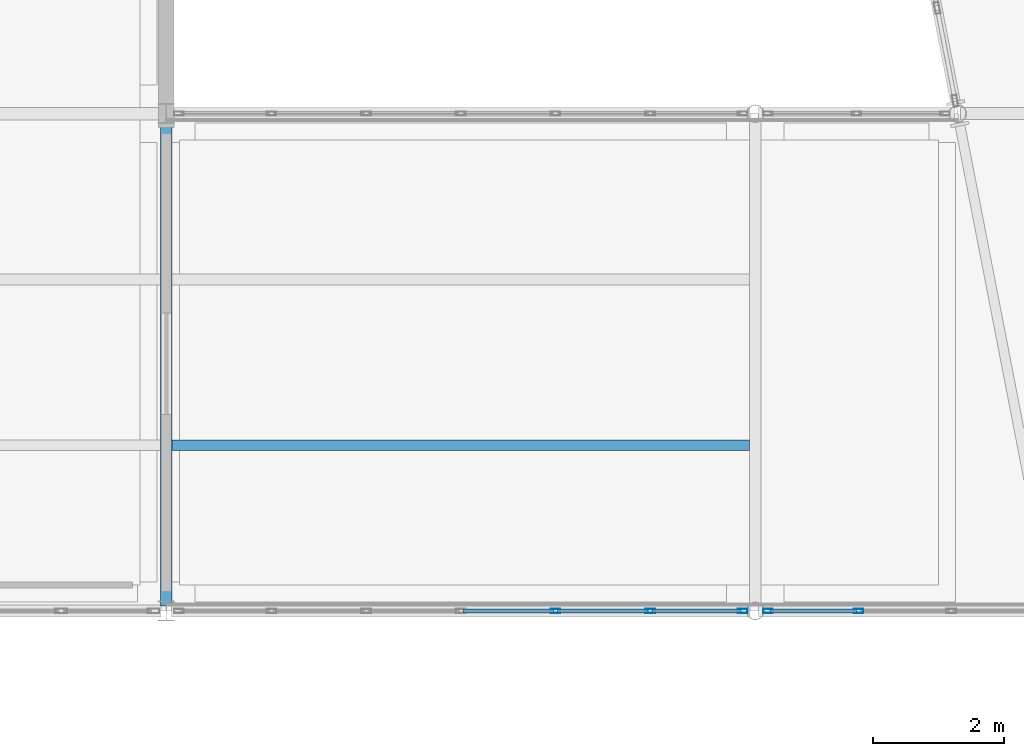
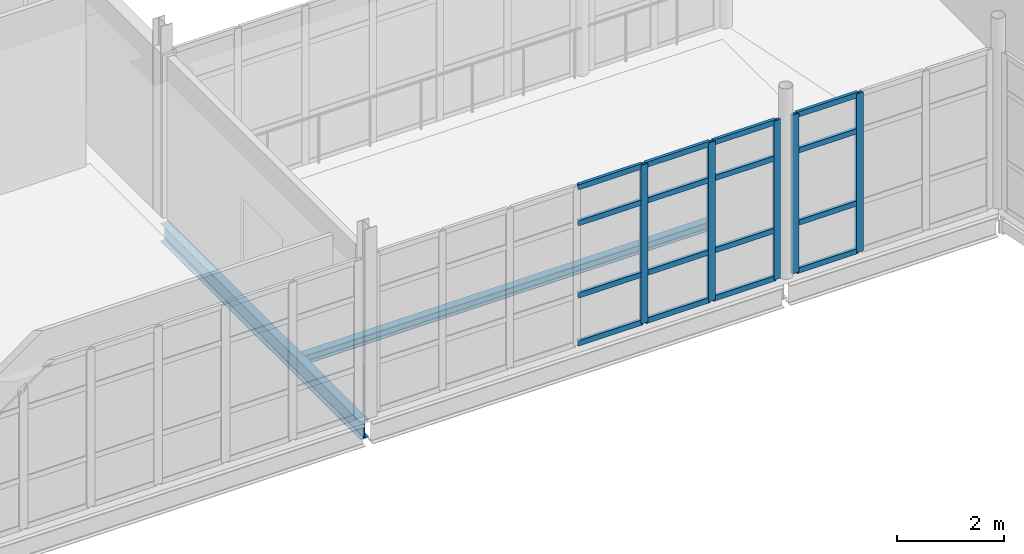
# One storey, part 93 of 174: 21 members, 2 beams, 2 elements without a shape of their own.
"""IFC4 building model written with IfcOpenShell, lengths in metres."""

import ifcopenshell
import ifcopenshell.guid

model = None  # the IFC model being written
_history = None  # IfcOwnerHistory: only IFC2X3 demands one
_inside = {}  # id of a spatial element -> (the spatial element, [elements in it])
_under = {}  # id of a project, library or spatial element -> (it, [spatial elements below it])
_declared = {}  # id of a project -> (the project, [libraries it declares])
_typed = {}  # id of a type object -> (the type object, [elements of that type])
_made_of = {}  # id of a material, layer set ... -> (it, [elements and type objects made of it])


def new_model(schema):
    """Start an empty IFC model of exactly this schema.

    Asked for "IFC4X3", IfcOpenShell would pick the latest addendum, in which some entities
    have other attributes; the version numbers below select the first issue.
    IFC2X3 requires an IfcOwnerHistory on every rooted entity: one is made here for all.
    """
    global model, _history
    if schema == "IFC4X3":
        model = ifcopenshell.file(schema_version=(4, 3, 0, 0))
    else:
        model = ifcopenshell.file(schema=schema)
    _inside.clear()
    _under.clear()
    _declared.clear()
    _typed.clear()
    _made_of.clear()
    _history = None
    if model.schema == "IFC2X3":
        org = make("IfcOrganization", Name="unknown")
        user = make(
            "IfcPersonAndOrganization",
            ThePerson=make("IfcPerson", FamilyName="unknown"),
            TheOrganization=org,
        )
        app = make(
            "IfcApplication",
            ApplicationDeveloper=org,
            Version="unknown",
            ApplicationFullName="unknown",
            ApplicationIdentifier="unknown",
        )
        _history = make(
            "IfcOwnerHistory",
            OwningUser=user,
            OwningApplication=app,
            ChangeAction="ADDED",
            CreationDate=0,
        )
    return model


def make(cls, **values):
    """One entity of the class cls with the attributes given. An attribute that is None is left unset."""
    return model.create_entity(
        cls, **{name: value for name, value in values.items() if value is not None}
    )


def rooted(cls, **values):
    """An entity with a GlobalId (a new one), such as an element, a storey or a relation."""
    return make(cls, GlobalId=ifcopenshell.guid.new(), OwnerHistory=_history, **values)


def si_unit(unit_type, name, prefix=None):
    """IfcSIUnit, for example si_unit("LENGTHUNIT", "METRE", prefix="MILLI")."""
    return make("IfcSIUnit", UnitType=unit_type, Prefix=prefix, Name=name)


def assignment(units):
    """IfcUnitAssignment: the units of a project."""
    return None if units is None else make("IfcUnitAssignment", Units=units)


def point(xyz):
    """IfcCartesianPoint."""
    return None if xyz is None else make("IfcCartesianPoint", Coordinates=xyz)


def direction(xyz):
    """IfcDirection."""
    return None if xyz is None else make("IfcDirection", DirectionRatios=xyz)


def frame(location, z_axis=None, x_axis=None):
    """IfcAxis2Placement3D, a coordinate frame: its origin and axes. An axis left out is left unset."""
    return make(
        "IfcAxis2Placement3D",
        Location=point(location),
        Axis=direction(z_axis),
        RefDirection=direction(x_axis),
    )


def frame_2d(location, x_axis=None):
    """IfcAxis2Placement2D, a coordinate frame in the plane: its origin and x axis."""
    return make(
        "IfcAxis2Placement2D", Location=point(location), RefDirection=direction(x_axis)
    )


def origin():
    """The frame at (0, 0, 0) with its axes left unset."""
    return frame((0.0, 0.0, 0.0))


def origin_2d():
    """The frame at (0, 0) in the plane with its x axis left unset."""
    return frame_2d((0.0, 0.0))


def place(relative_to, where):
    """IfcLocalPlacement: puts the frame where relative to a parent placement (None: the world)."""
    return make(
        "IfcLocalPlacement", PlacementRelTo=relative_to, RelativePlacement=where
    )


def context(
    kind, dimensions, precision=None, world=None, true_north=None, identifier=None
):
    """IfcGeometricRepresentationContext, for example the 3D "Model" context."""
    return make(
        "IfcGeometricRepresentationContext",
        ContextIdentifier=identifier,
        ContextType=kind,
        CoordinateSpaceDimension=dimensions,
        Precision=precision,
        WorldCoordinateSystem=world,
        TrueNorth=true_north,
    )


def subcontext(parent, identifier, kind, view, scale=None):
    """IfcGeometricRepresentationSubContext, for example "Body" below "Model"."""
    return make(
        "IfcGeometricRepresentationSubContext",
        ContextIdentifier=identifier,
        ContextType=kind,
        ParentContext=parent,
        TargetScale=scale,
        TargetView=view,
    )


def project(units=None, contexts=None):
    """IfcProject with its units and contexts."""
    return rooted(
        "IfcProject",
        Name="project",
        RepresentationContexts=contexts,
        UnitsInContext=assignment(units),
    )


def spatial(cls, under=None, at=None, **own):
    """A site, building, storey or space (cls), placed at a placement, below another one or the project."""
    s = rooted(cls, ObjectPlacement=at, **own)
    if under is not None:
        _under.setdefault(under.id(), (under, []))[1].append(s)
    return s


def profile(cls, at=None, kind="AREA", **sizes):
    """A parametric profile (cls). Its sizes go by their IFC names, for example OverallWidth=200.0."""
    return make(cls, ProfileType=kind, Position=at, **sizes)


def hollow_rectangle(**sizes):
    """IfcRectangleHollowProfileDef."""
    return profile("IfcRectangleHollowProfileDef", **sizes)


def i_section(**sizes):
    """IfcIShapeProfileDef."""
    return profile("IfcIShapeProfileDef", **sizes)


def extrude(swept, where, along, depth):
    """IfcExtrudedAreaSolid: the profile swept, set in the frame where, extruded along a direction by depth."""
    return make(
        "IfcExtrudedAreaSolid",
        SweptArea=swept,
        Position=where,
        ExtrudedDirection=direction(along),
        Depth=depth,
    )


def shape(context_of_items, identifier, shape_type, items):
    """IfcShapeRepresentation: the items that make up one representation, for example the "Body"."""
    return make(
        "IfcShapeRepresentation",
        ContextOfItems=context_of_items,
        RepresentationIdentifier=identifier,
        RepresentationType=shape_type,
        Items=items,
    )


def material(Name=None, Category=None):
    """IfcMaterial."""
    return make("IfcMaterial", Name=Name, Category=Category)


def material_profile(
    of_material, cross_section, Name=None, Category=None, Priority=None
):
    """IfcMaterialProfile: a cross section and its material."""
    return make(
        "IfcMaterialProfile",
        Name=Name,
        Material=of_material,
        Profile=cross_section,
        Priority=Priority,
        Category=Category,
    )


def profile_set(profiles, Name=None, composite=None):
    """IfcMaterialProfileSet."""
    return make(
        "IfcMaterialProfileSet",
        Name=Name,
        MaterialProfiles=profiles,
        CompositeProfile=composite,
    )


def made_of(thing, what):
    """Note that an element or type object is made of a material, layer set ...; save() writes the relation."""
    if what is not None:
        _made_of.setdefault(what.id(), (what, []))[1].append(thing)
    return thing


def type_object(cls, material=None, **own):
    """A type object (cls), such as IfcWallType, which elements share."""
    return made_of(rooted(cls, **own), material)


def element(
    cls,
    number,
    at=None,
    inside=None,
    cuts=None,
    type_object=None,
    material=None,
    context=None,
    identifier="Body",
    shape_type=None,
    held_by="IfcProductDefinitionShape",
    body=None,
    shapes=None,
    **own,
):
    """One element of the class cls, such as IfcWall. Its Tag is "e" and its number.

    at: its placement. inside: the storey or other place that contains it. cuts: it is an
    opening in that element (IfcRelVoidsElement). A single representation is given by context,
    identifier, shape_type and body (its items); several are given by shapes. held_by: the class
    of the entity that holds the representations. save() writes the other relations.
    """
    e = rooted(cls, Tag="e%d" % number, ObjectPlacement=at, **own)
    if body is not None:
        shapes = [shape(context, identifier, shape_type, body)]
    if shapes is not None:
        e.Representation = make(held_by, Representations=shapes)
    if inside is not None:
        _inside.setdefault(inside.id(), (inside, []))[1].append(e)
    if cuts is not None:
        rooted(
            "IfcRelVoidsElement", RelatingBuildingElement=cuts, RelatedOpeningElement=e
        )
    if type_object is not None:
        _typed.setdefault(type_object.id(), (type_object, []))[1].append(e)
    return made_of(e, material)


def aggregate(whole, parts):
    """IfcRelAggregates: a whole, such as a stair, and the parts it consists of."""
    return rooted("IfcRelAggregates", RelatingObject=whole, RelatedObjects=parts)


def save(model, path):
    """Write the relations noted so far, then the file.

    IfcRelAggregates (storeys below a building ...), IfcRelContainedInSpatialStructure (elements
    in a storey), IfcRelDefinesByType, IfcRelAssociatesMaterial and IfcRelDeclares: one each for
    every whole, place, type object, material and project.
    """
    for whole, parts in _under.values():
        aggregate(whole, parts)
    for where, things in _inside.values():
        rooted(
            "IfcRelContainedInSpatialStructure",
            RelatedElements=things,
            RelatingStructure=where,
        )
    for kind, things in _typed.values():
        rooted("IfcRelDefinesByType", RelatedObjects=things, RelatingType=kind)
    for what, things in _made_of.values():
        rooted("IfcRelAssociatesMaterial", RelatedObjects=things, RelatingMaterial=what)
    for by, libraries in _declared.values():
        rooted("IfcRelDeclares", RelatingContext=by, RelatedDefinitions=libraries)
    model.write(path)


model = new_model("IFC4")

# Units and contexts
model_context = context("Model", 3, precision=1e-05, world=origin(), true_north=direction((0.0, 1.0)))
body_context = subcontext(model_context, "Body", "Model", "MODEL_VIEW")
ifc_project = project(units=[si_unit("LENGTHUNIT", "METRE"), si_unit("AREAUNIT", "SQUARE_METRE"), si_unit("VOLUMEUNIT", "CUBIC_METRE"), si_unit("PLANEANGLEUNIT", "RADIAN"), si_unit("MASSUNIT", "GRAM", prefix="KILO")], contexts=[model_context])

# Site, building, storey
site_placement = place(None, origin())
site = spatial("IfcSite", under=ifc_project, at=site_placement, CompositionType="ELEMENT")
building_placement = place(site_placement, origin())
building = spatial("IfcBuilding", under=site, at=building_placement, Name="Caisbarro Railhouse Central Library", CompositionType="ELEMENT")
storey_placement = place(building_placement, frame((0.0, 0.0, 5.0400390625)))
storey = spatial("IfcBuildingStorey", under=building, at=storey_placement, Name="L01", CompositionType="ELEMENT", Elevation=5.0400390625)

# Beams
ifc_material_1 = material(Name="Steel ASTM A572 Grade 50", Category="steel")
ifc_material_profile_1 = material_profile(ifc_material_1, i_section(OverallWidth=0.177978515625, OverallDepth=0.406982421875, WebThickness=0.0078125, FlangeThickness=0.0126953125, FilletRadius=0.01611328125, at=origin_2d()), Name="W410X60.0")
ifc_profile_set_1 = profile_set([ifc_material_profile_1], Name="Steel ASTM A572 Grade 50")
beam_type_1 = type_object("IfcBeamType", Name="BM-G10", PredefinedType="BEAM", material=ifc_profile_set_1)
beam_1_placement = place(storey_placement, frame((99.0, 83.679931640625, -0.403564453125), z_axis=(0.0, 1.0, 0.0), x_axis=(-1.0, 0.0, 0.0)))
element("IfcBeam", 1, at=beam_1_placement, inside=storey, type_object=beam_type_1, Name="G10 beam L01 #1204", PredefinedType="BEAM", context=body_context, shape_type="SweptSolid", body=[
    extrude(i_section(OverallWidth=0.177978515625, OverallDepth=0.406982421875, WebThickness=0.0078125, FlangeThickness=0.0126953125, FilletRadius=0.01611328125, at=origin_2d()), origin(), (0.0, 0.0, 1.0), 7.440185546875),
])
ifc_material_profile_2 = material_profile(ifc_material_1, i_section(OverallWidth=0.1650390625, OverallDepth=0.200927734375, WebThickness=0.006103515625, FlangeThickness=0.01025390625, FilletRadius=0.010009765625, at=origin_2d()), Name="W200X35.9")
ifc_profile_set_2 = profile_set([ifc_material_profile_2], Name="Steel ASTM A572 Grade 50")
beam_type_2 = type_object("IfcBeamType", Name="BM-J06", PredefinedType="JOIST", material=ifc_profile_set_2)
beam_2_placement = place(storey_placement, frame((99.089111328125, 86.13330078125, -0.300537109375), z_axis=(1.0, 0.0, 0.0), x_axis=(0.0, 1.0, 0.0)))
element("IfcBeam", 2, at=beam_2_placement, inside=storey, type_object=beam_type_2, Name="J06 beam L01 #1263", PredefinedType="JOIST", context=body_context, shape_type="SweptSolid", body=[
    extrude(i_section(OverallWidth=0.1650390625, OverallDepth=0.200927734375, WebThickness=0.006103515625, FlangeThickness=0.01025390625, FilletRadius=0.010009765625, at=origin_2d()), origin(), (0.0, 0.0, 1.0), 8.82177734375),
])

# Curtain wall, members
ifc_material_2 = material(Name="Anodised architectural aluminium", Category="aluminium")
curtain_wall_type = type_object("IfcCurtainWallType", Name="CW-CW03", PredefinedType="NOTDEFINED", material=ifc_material_2)
curtain_wall_1_placement = place(storey_placement, origin())
curtain_wall_1 = element("IfcCurtainWall", 3, at=curtain_wall_1_placement, inside=storey, type_object=curtain_wall_type, Name="CW03 curtain wall L01 #198", PredefinedType="NOTDEFINED")
ifc_material_profile_3 = material_profile(ifc_material_2, hollow_rectangle(XDim=0.06494140625, YDim=0.14990234375, WallThickness=0.00390625, at=origin_2d()), Name="ALU-MUL-65X150")
ifc_profile_set_3 = profile_set([ifc_material_profile_3], Name="Anodised architectural aluminium")
member_type_1 = type_object("IfcMemberType", Name="CWM-M02", PredefinedType="MULLION", material=ifc_profile_set_3)
member_1_placement = place(storey_placement, frame((104.94677734375, 83.60009765625, 0.0), z_axis=(0.0, 0.0, 1.0), x_axis=(0.0, 1.0, 0.0)))
member_1 = element("IfcMember", 4, at=member_1_placement, type_object=member_type_1, Name="CW03 mullion 5", PredefinedType="MULLION", context=body_context, shape_type="SweptSolid", body=[
    extrude(hollow_rectangle(XDim=0.06494140625, YDim=0.14990234375, WallThickness=0.00390625, at=origin_2d()), origin(), (0.0, 0.0, 1.0), 3.60986328125),
])
member_2_placement = place(storey_placement, frame((106.393310546875, 83.60009765625, 0.0), z_axis=(0.0, 0.0, 1.0), x_axis=(0.0, 1.0, 0.0)))
member_2 = element("IfcMember", 5, at=member_2_placement, type_object=member_type_1, Name="CW03 mullion 6", PredefinedType="MULLION", context=body_context, shape_type="SweptSolid", body=[
    extrude(hollow_rectangle(XDim=0.06494140625, YDim=0.14990234375, WallThickness=0.00390625, at=origin_2d()), origin(), (0.0, 0.0, 1.0), 3.60986328125),
])
member_3_placement = place(storey_placement, frame((107.8076171875, 83.60009765625, 0.0), z_axis=(0.0, 0.0, 1.0), x_axis=(0.0, 1.0, 0.0)))
member_3 = element("IfcMember", 6, at=member_3_placement, type_object=member_type_1, Name="CW03 mullion 7", PredefinedType="MULLION", context=body_context, shape_type="SweptSolid", body=[
    extrude(hollow_rectangle(XDim=0.06494140625, YDim=0.14990234375, WallThickness=0.00390625, at=origin_2d()), origin(), (0.0, 0.0, 1.0), 3.60986328125),
])

curtain_wall_2_placement = place(storey_placement, origin())
curtain_wall_2 = element("IfcCurtainWall", 7, at=curtain_wall_2_placement, inside=storey, type_object=curtain_wall_type, Name="CW03 curtain wall L01 #199", PredefinedType="NOTDEFINED")
member_4_placement = place(storey_placement, frame((108.1923828125, 83.60009765625, 0.0), z_axis=(0.0, 0.0, 1.0), x_axis=(0.0, 1.0, 0.0)))
member_4 = element("IfcMember", 8, at=member_4_placement, type_object=member_type_1, Name="CW03 mullion 1", PredefinedType="MULLION", context=body_context, shape_type="SweptSolid", body=[
    extrude(hollow_rectangle(XDim=0.06494140625, YDim=0.14990234375, WallThickness=0.00390625, at=origin_2d()), origin(), (0.0, 0.0, 1.0), 3.60986328125),
])
member_5_placement = place(storey_placement, frame((109.575927734375, 83.60009765625, 0.0), z_axis=(0.0, 0.0, 1.0), x_axis=(0.0, 1.0, 0.0)))
member_5 = element("IfcMember", 9, at=member_5_placement, type_object=member_type_1, Name="CW03 mullion 2", PredefinedType="MULLION", context=body_context, shape_type="SweptSolid", body=[
    extrude(hollow_rectangle(XDim=0.06494140625, YDim=0.14990234375, WallThickness=0.00390625, at=origin_2d()), origin(), (0.0, 0.0, 1.0), 3.60986328125),
])

# Member
ifc_material_profile_4 = material_profile(ifc_material_2, hollow_rectangle(XDim=0.06494140625, YDim=0.1201171875, WallThickness=0.00341796875, at=origin_2d()), Name="ALU-TRN-65X120")
ifc_profile_set_4 = profile_set([ifc_material_profile_4], Name="Anodised architectural aluminium")
member_type_2 = type_object("IfcMemberType", Name="CWT-T02", PredefinedType="USERDEFINED", material=ifc_profile_set_4)
member_6_placement = place(storey_placement, frame((103.532470703125, 83.60009765625, 0.032470703125), z_axis=(1.0, 0.0, 0.0), x_axis=(0.0, 1.0, 0.0)))
member_6 = element("IfcMember", 10, at=member_6_placement, type_object=member_type_2, Name="CW03 transom 4.1", ObjectType="TRANSOM", PredefinedType="USERDEFINED", context=body_context, shape_type="SweptSolid", body=[
    extrude(hollow_rectangle(XDim=0.06494140625, YDim=0.1201171875, WallThickness=0.00341796875, at=origin_2d()), origin(), (0.0, 0.0, 1.0), 1.381591796875),
])

member_7_placement = place(storey_placement, frame((103.532470703125, 83.60009765625, 1.119873046875), z_axis=(1.0, 0.0, 0.0), x_axis=(0.0, 1.0, 0.0)))
member_7 = element("IfcMember", 11, at=member_7_placement, type_object=member_type_2, Name="CW03 transom 4.2", ObjectType="TRANSOM", PredefinedType="USERDEFINED", context=body_context, shape_type="SweptSolid", body=[
    extrude(hollow_rectangle(XDim=0.06494140625, YDim=0.1201171875, WallThickness=0.00341796875, at=origin_2d()), origin(), (0.0, 0.0, 1.0), 1.381591796875),
])

member_8_placement = place(storey_placement, frame((103.532470703125, 83.60009765625, 2.760009765625), z_axis=(1.0, 0.0, 0.0), x_axis=(0.0, 1.0, 0.0)))
member_8 = element("IfcMember", 12, at=member_8_placement, type_object=member_type_2, Name="CW03 transom 4.3", ObjectType="TRANSOM", PredefinedType="USERDEFINED", context=body_context, shape_type="SweptSolid", body=[
    extrude(hollow_rectangle(XDim=0.06494140625, YDim=0.1201171875, WallThickness=0.00341796875, at=origin_2d()), origin(), (0.0, 0.0, 1.0), 1.381591796875),
])

member_9_placement = place(storey_placement, frame((103.532470703125, 83.60009765625, 3.577392578125), z_axis=(1.0, 0.0, 0.0), x_axis=(0.0, 1.0, 0.0)))
member_9 = element("IfcMember", 13, at=member_9_placement, type_object=member_type_2, Name="CW03 transom 4.4", ObjectType="TRANSOM", PredefinedType="USERDEFINED", context=body_context, shape_type="SweptSolid", body=[
    extrude(hollow_rectangle(XDim=0.06494140625, YDim=0.1201171875, WallThickness=0.00341796875, at=origin_2d()), origin(), (0.0, 0.0, 1.0), 1.381591796875),
])

member_10_placement = place(storey_placement, frame((104.979248046875, 83.60009765625, 0.032470703125), z_axis=(1.0, 0.0, 0.0), x_axis=(0.0, 1.0, 0.0)))
member_10 = element("IfcMember", 14, at=member_10_placement, type_object=member_type_2, Name="CW03 transom 5.1", ObjectType="TRANSOM", PredefinedType="USERDEFINED", context=body_context, shape_type="SweptSolid", body=[
    extrude(hollow_rectangle(XDim=0.06494140625, YDim=0.1201171875, WallThickness=0.00341796875, at=origin_2d()), origin(), (0.0, 0.0, 1.0), 1.381591796875),
])

member_11_placement = place(storey_placement, frame((104.979248046875, 83.60009765625, 1.119873046875), z_axis=(1.0, 0.0, 0.0), x_axis=(0.0, 1.0, 0.0)))
member_11 = element("IfcMember", 15, at=member_11_placement, type_object=member_type_2, Name="CW03 transom 5.2", ObjectType="TRANSOM", PredefinedType="USERDEFINED", context=body_context, shape_type="SweptSolid", body=[
    extrude(hollow_rectangle(XDim=0.06494140625, YDim=0.1201171875, WallThickness=0.00341796875, at=origin_2d()), origin(), (0.0, 0.0, 1.0), 1.381591796875),
])

member_12_placement = place(storey_placement, frame((104.979248046875, 83.60009765625, 2.760009765625), z_axis=(1.0, 0.0, 0.0), x_axis=(0.0, 1.0, 0.0)))
member_12 = element("IfcMember", 16, at=member_12_placement, type_object=member_type_2, Name="CW03 transom 5.3", ObjectType="TRANSOM", PredefinedType="USERDEFINED", context=body_context, shape_type="SweptSolid", body=[
    extrude(hollow_rectangle(XDim=0.06494140625, YDim=0.1201171875, WallThickness=0.00341796875, at=origin_2d()), origin(), (0.0, 0.0, 1.0), 1.381591796875),
])

member_13_placement = place(storey_placement, frame((104.979248046875, 83.60009765625, 3.577392578125), z_axis=(1.0, 0.0, 0.0), x_axis=(0.0, 1.0, 0.0)))
member_13 = element("IfcMember", 17, at=member_13_placement, type_object=member_type_2, Name="CW03 transom 5.4", ObjectType="TRANSOM", PredefinedType="USERDEFINED", context=body_context, shape_type="SweptSolid", body=[
    extrude(hollow_rectangle(XDim=0.06494140625, YDim=0.1201171875, WallThickness=0.00341796875, at=origin_2d()), origin(), (0.0, 0.0, 1.0), 1.381591796875),
])

member_14_placement = place(storey_placement, frame((106.42578125, 83.60009765625, 0.032470703125), z_axis=(1.0, 0.0, 0.0), x_axis=(0.0, 1.0, 0.0)))
member_14 = element("IfcMember", 18, at=member_14_placement, type_object=member_type_2, Name="CW03 transom 6.1", ObjectType="TRANSOM", PredefinedType="USERDEFINED", context=body_context, shape_type="SweptSolid", body=[
    extrude(hollow_rectangle(XDim=0.06494140625, YDim=0.1201171875, WallThickness=0.00341796875, at=origin_2d()), origin(), (0.0, 0.0, 1.0), 1.34912109375),
])

member_15_placement = place(storey_placement, frame((106.42578125, 83.60009765625, 1.119873046875), z_axis=(1.0, 0.0, 0.0), x_axis=(0.0, 1.0, 0.0)))
member_15 = element("IfcMember", 19, at=member_15_placement, type_object=member_type_2, Name="CW03 transom 6.2", ObjectType="TRANSOM", PredefinedType="USERDEFINED", context=body_context, shape_type="SweptSolid", body=[
    extrude(hollow_rectangle(XDim=0.06494140625, YDim=0.1201171875, WallThickness=0.00341796875, at=origin_2d()), origin(), (0.0, 0.0, 1.0), 1.34912109375),
])

member_16_placement = place(storey_placement, frame((106.42578125, 83.60009765625, 2.760009765625), z_axis=(1.0, 0.0, 0.0), x_axis=(0.0, 1.0, 0.0)))
member_16 = element("IfcMember", 20, at=member_16_placement, type_object=member_type_2, Name="CW03 transom 6.3", ObjectType="TRANSOM", PredefinedType="USERDEFINED", context=body_context, shape_type="SweptSolid", body=[
    extrude(hollow_rectangle(XDim=0.06494140625, YDim=0.1201171875, WallThickness=0.00341796875, at=origin_2d()), origin(), (0.0, 0.0, 1.0), 1.34912109375),
])

member_17_placement = place(storey_placement, frame((106.42578125, 83.60009765625, 3.577392578125), z_axis=(1.0, 0.0, 0.0), x_axis=(0.0, 1.0, 0.0)))
member_17 = element("IfcMember", 21, at=member_17_placement, type_object=member_type_2, Name="CW03 transom 6.4", ObjectType="TRANSOM", PredefinedType="USERDEFINED", context=body_context, shape_type="SweptSolid", body=[
    extrude(hollow_rectangle(XDim=0.06494140625, YDim=0.1201171875, WallThickness=0.00341796875, at=origin_2d()), origin(), (0.0, 0.0, 1.0), 1.34912109375),
])

aggregate(curtain_wall_1, [member_1, member_2, member_3, member_6, member_7, member_8, member_9, member_10, member_11, member_12, member_13, member_14, member_15, member_16, member_17])

member_18_placement = place(storey_placement, frame((108.22509765625, 83.60009765625, 0.032470703125), z_axis=(1.0, 0.0, 0.0), x_axis=(0.0, 1.0, 0.0)))
member_18 = element("IfcMember", 22, at=member_18_placement, type_object=member_type_2, Name="CW03 transom 1.1", ObjectType="TRANSOM", PredefinedType="USERDEFINED", context=body_context, shape_type="SweptSolid", body=[
    extrude(hollow_rectangle(XDim=0.06494140625, YDim=0.1201171875, WallThickness=0.00341796875, at=origin_2d()), origin(), (0.0, 0.0, 1.0), 1.318359375),
])

member_19_placement = place(storey_placement, frame((108.22509765625, 83.60009765625, 1.119873046875), z_axis=(1.0, 0.0, 0.0), x_axis=(0.0, 1.0, 0.0)))
member_19 = element("IfcMember", 23, at=member_19_placement, type_object=member_type_2, Name="CW03 transom 1.2", ObjectType="TRANSOM", PredefinedType="USERDEFINED", context=body_context, shape_type="SweptSolid", body=[
    extrude(hollow_rectangle(XDim=0.06494140625, YDim=0.1201171875, WallThickness=0.00341796875, at=origin_2d()), origin(), (0.0, 0.0, 1.0), 1.318359375),
])

member_20_placement = place(storey_placement, frame((108.22509765625, 83.60009765625, 2.760009765625), z_axis=(1.0, 0.0, 0.0), x_axis=(0.0, 1.0, 0.0)))
member_20 = element("IfcMember", 24, at=member_20_placement, type_object=member_type_2, Name="CW03 transom 1.3", ObjectType="TRANSOM", PredefinedType="USERDEFINED", context=body_context, shape_type="SweptSolid", body=[
    extrude(hollow_rectangle(XDim=0.06494140625, YDim=0.1201171875, WallThickness=0.00341796875, at=origin_2d()), origin(), (0.0, 0.0, 1.0), 1.318359375),
])

member_21_placement = place(storey_placement, frame((108.22509765625, 83.60009765625, 3.577392578125), z_axis=(1.0, 0.0, 0.0), x_axis=(0.0, 1.0, 0.0)))
member_21 = element("IfcMember", 25, at=member_21_placement, type_object=member_type_2, Name="CW03 transom 1.4", ObjectType="TRANSOM", PredefinedType="USERDEFINED", context=body_context, shape_type="SweptSolid", body=[
    extrude(hollow_rectangle(XDim=0.06494140625, YDim=0.1201171875, WallThickness=0.00341796875, at=origin_2d()), origin(), (0.0, 0.0, 1.0), 1.318359375),
])

aggregate(curtain_wall_2, [member_4, member_5, member_18, member_19, member_20, member_21])

save(model, "model.ifc")
